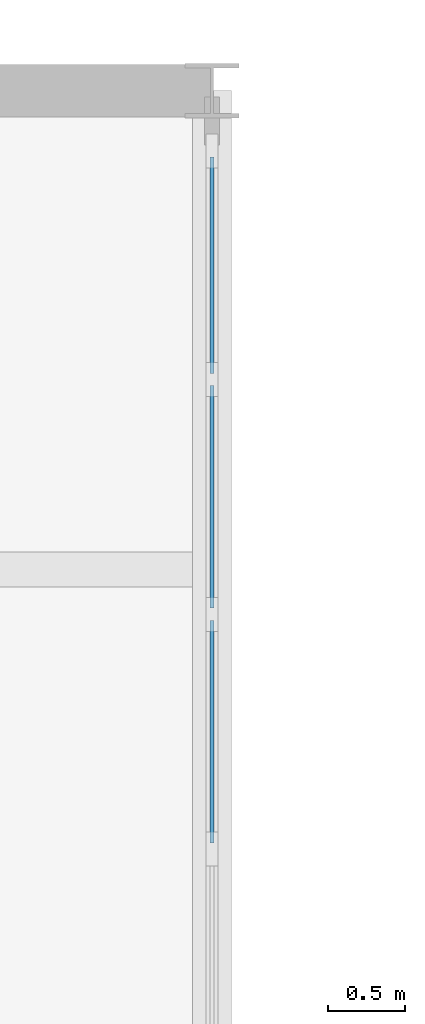
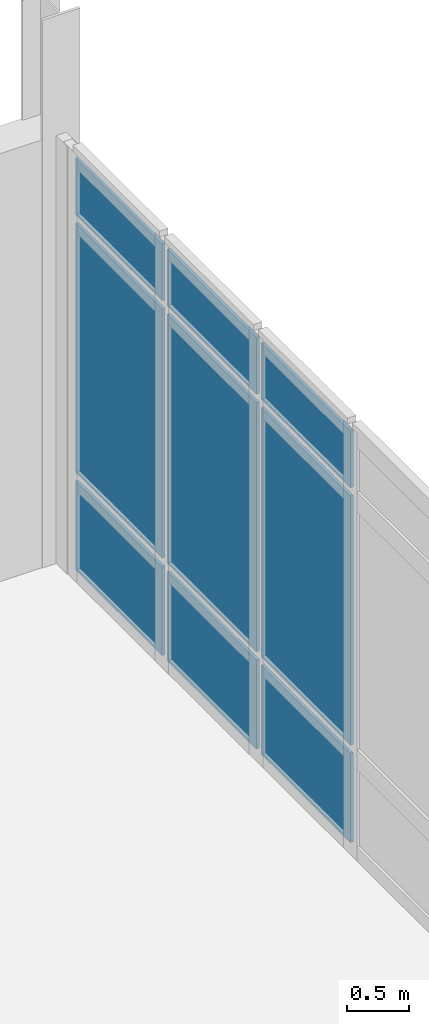
# One storey, part 84 of 113: 9 plates, 1 element without a shape of its own.
"""IFC4 building model written with IfcOpenShell, lengths in metres."""

from ifc_helpers import new_model, si_unit, direction, frame, origin, origin_2d, place, context, subcontext, project, spatial, rectangle, extrude, material, layer, layer_set, type_object, element, aggregate, save


model = new_model("IFC4")

# Units and contexts
model_context = context("Model", 3, precision=1e-05, world=origin(), true_north=direction((0.0, 1.0)))
body_context = subcontext(model_context, "Body", "Model", "MODEL_VIEW")
ifc_project = project(units=[si_unit("LENGTHUNIT", "METRE"), si_unit("AREAUNIT", "SQUARE_METRE"), si_unit("VOLUMEUNIT", "CUBIC_METRE"), si_unit("PLANEANGLEUNIT", "RADIAN"), si_unit("MASSUNIT", "GRAM", prefix="KILO")], contexts=[model_context])

# Site, building, storey
site_placement = place(None, origin())
site = spatial("IfcSite", under=ifc_project, at=site_placement, CompositionType="ELEMENT")
building_placement = place(site_placement, origin())
building = spatial("IfcBuilding", under=site, at=building_placement, Name="Tameran Prism Museum", CompositionType="ELEMENT")
storey_placement = place(building_placement, origin())
storey = spatial("IfcBuildingStorey", under=building, at=storey_placement, Name="L00", CompositionType="ELEMENT", Elevation=0.0)

# Curtain wall, plates
ifc_material_1 = material(Name="Anodised Aluminium 6063-T6 and Cyclone Solar Glass", Category="aluminium")
curtain_wall_type = type_object("IfcCurtainWallType", Name="CW-FAC-1520x422", PredefinedType="USERDEFINED", material=ifc_material_1)
curtain_wall_placement = place(storey_placement, origin())
curtain_wall = element("IfcCurtainWall", 1, at=curtain_wall_placement, inside=storey, type_object=curtain_wall_type, Name="Unitised Curtain Wall CW-026", ObjectType="UNITISED CURTAIN WALL", PredefinedType="USERDEFINED")
ifc_material_2 = material(Name="Low-E Laminated Solar Glass", Category="glass")
ifc_layer = layer(ifc_material_2, 0.028076171875)
ifc_layer_set = layer_set([ifc_layer])
plate_type = type_object("IfcPlateType", Name="CW-PNL-G28", PredefinedType="CURTAIN_PANEL", material=ifc_layer_set)
plate_1_placement = place(storey_placement, frame((166.39990234375, 110.8701171875, 0.080078125), z_axis=(0.0, 0.0, 1.0), x_axis=(0.0, -1.0, 0.0)))
plate_1 = element("IfcPlate", 2, at=plate_1_placement, type_object=plate_type, Name="CW-026 panel 1.1", PredefinedType="CURTAIN_PANEL", context=body_context, shape_type="SweptSolid", body=[
    extrude(rectangle(XDim=1.39990234375, YDim=0.028076171875, at=origin_2d()), origin(), (0.0, 0.0, 1.0), 0.8798828125),
])
plate_2_placement = place(storey_placement, frame((166.39990234375, 110.8701171875, 1.0400390625), z_axis=(0.0, 0.0, 1.0), x_axis=(0.0, -1.0, 0.0)))
plate_2 = element("IfcPlate", 3, at=plate_2_placement, type_object=plate_type, Name="CW-026 panel 1.2", PredefinedType="CURTAIN_PANEL", context=body_context, shape_type="SweptSolid", body=[
    extrude(rectangle(XDim=1.39990234375, YDim=0.028076171875, at=origin_2d()), origin(), (0.0, 0.0, 1.0), 2.4599609375),
])
plate_3_placement = place(storey_placement, frame((166.39990234375, 110.8701171875, 3.580078125), z_axis=(0.0, 0.0, 1.0), x_axis=(0.0, -1.0, 0.0)))
plate_3 = element("IfcPlate", 4, at=plate_3_placement, type_object=plate_type, Name="CW-026 panel 1.3", PredefinedType="CURTAIN_PANEL", context=body_context, shape_type="SweptSolid", body=[
    extrude(rectangle(XDim=1.39990234375, YDim=0.028076171875, at=origin_2d()), origin(), (0.0, 0.0, 1.0), 0.56005859375),
])
plate_4_placement = place(storey_placement, frame((166.39990234375, 109.3701171875, 0.080078125), z_axis=(0.0, 0.0, 1.0), x_axis=(0.0, -1.0, 0.0)))
plate_4 = element("IfcPlate", 5, at=plate_4_placement, type_object=plate_type, Name="CW-026 panel 2.1", PredefinedType="CURTAIN_PANEL", context=body_context, shape_type="SweptSolid", body=[
    extrude(rectangle(XDim=1.43994140625, YDim=0.028076171875, at=origin_2d()), origin(), (0.0, 0.0, 1.0), 0.8798828125),
])
plate_5_placement = place(storey_placement, frame((166.39990234375, 109.3701171875, 1.0400390625), z_axis=(0.0, 0.0, 1.0), x_axis=(0.0, -1.0, 0.0)))
plate_5 = element("IfcPlate", 6, at=plate_5_placement, type_object=plate_type, Name="CW-026 panel 2.2", PredefinedType="CURTAIN_PANEL", context=body_context, shape_type="SweptSolid", body=[
    extrude(rectangle(XDim=1.43994140625, YDim=0.028076171875, at=origin_2d()), origin(), (0.0, 0.0, 1.0), 2.4599609375),
])
plate_6_placement = place(storey_placement, frame((166.39990234375, 109.3701171875, 3.580078125), z_axis=(0.0, 0.0, 1.0), x_axis=(0.0, -1.0, 0.0)))
plate_6 = element("IfcPlate", 7, at=plate_6_placement, type_object=plate_type, Name="CW-026 panel 2.3", PredefinedType="CURTAIN_PANEL", context=body_context, shape_type="SweptSolid", body=[
    extrude(rectangle(XDim=1.43994140625, YDim=0.028076171875, at=origin_2d()), origin(), (0.0, 0.0, 1.0), 0.56005859375),
])
plate_7_placement = place(storey_placement, frame((166.39990234375, 107.85009765625, 0.080078125), z_axis=(0.0, 0.0, 1.0), x_axis=(0.0, -1.0, 0.0)))
plate_7 = element("IfcPlate", 8, at=plate_7_placement, type_object=plate_type, Name="CW-026 panel 3.1", PredefinedType="CURTAIN_PANEL", context=body_context, shape_type="SweptSolid", body=[
    extrude(rectangle(XDim=1.43994140625, YDim=0.028076171875, at=origin_2d()), origin(), (0.0, 0.0, 1.0), 0.8798828125),
])
plate_8_placement = place(storey_placement, frame((166.39990234375, 107.85009765625, 1.0400390625), z_axis=(0.0, 0.0, 1.0), x_axis=(0.0, -1.0, 0.0)))
plate_8 = element("IfcPlate", 9, at=plate_8_placement, type_object=plate_type, Name="CW-026 panel 3.2", PredefinedType="CURTAIN_PANEL", context=body_context, shape_type="SweptSolid", body=[
    extrude(rectangle(XDim=1.43994140625, YDim=0.028076171875, at=origin_2d()), origin(), (0.0, 0.0, 1.0), 2.4599609375),
])
plate_9_placement = place(storey_placement, frame((166.39990234375, 107.85009765625, 3.580078125), z_axis=(0.0, 0.0, 1.0), x_axis=(0.0, -1.0, 0.0)))
plate_9 = element("IfcPlate", 10, at=plate_9_placement, type_object=plate_type, Name="CW-026 panel 3.3", PredefinedType="CURTAIN_PANEL", context=body_context, shape_type="SweptSolid", body=[
    extrude(rectangle(XDim=1.43994140625, YDim=0.028076171875, at=origin_2d()), origin(), (0.0, 0.0, 1.0), 0.56005859375),
])
aggregate(curtain_wall, [plate_1, plate_2, plate_3, plate_4, plate_5, plate_6, plate_7, plate_8, plate_9])

save(model, "model.ifc")
